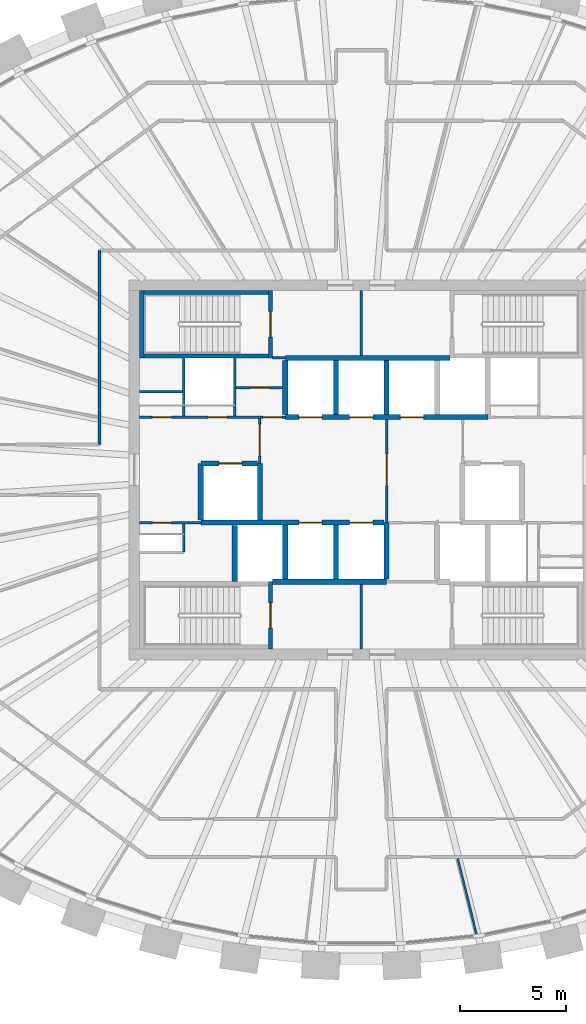
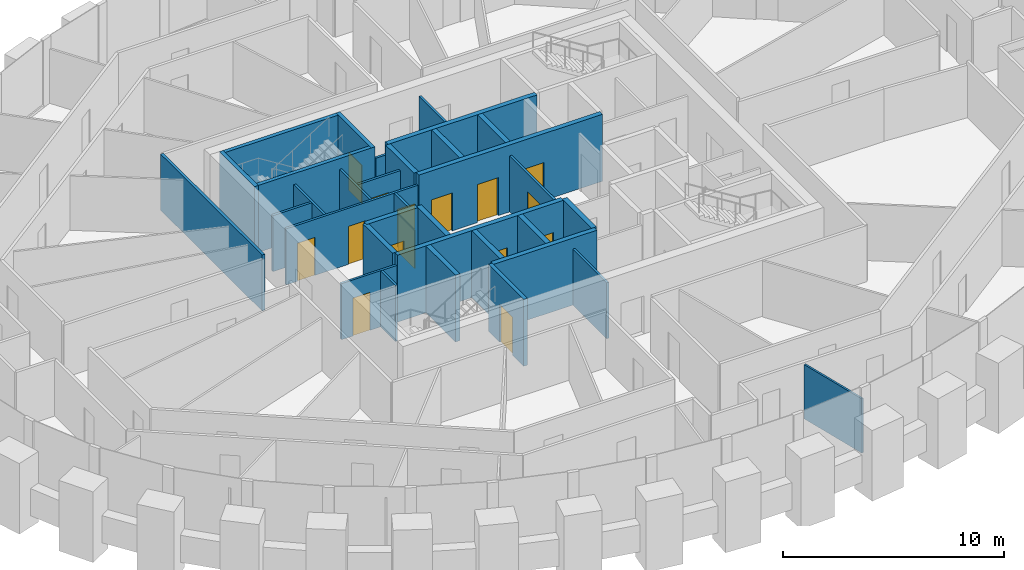
# One storey, part 7 of 12: 33 walls, 15 doors, 15 openings.
"""IFC4 building model written with IfcOpenShell, lengths in metres."""

from ifc_helpers import new_model, si_unit, direction, frame, frame_2d, origin, place, context, subcontext, project, spatial, rectangle, extrude, source, transform, mapped, material, layer, layer_set, type_object, element, fill, save


model = new_model("IFC4")

# Units and contexts
model_context = context("Model", 3, precision=1e-05, world=origin(), true_north=direction((0.0, 1.0)))
body_context = subcontext(model_context, "Body", "Model", "MODEL_VIEW")
ifc_project = project(units=[si_unit("LENGTHUNIT", "METRE"), si_unit("AREAUNIT", "SQUARE_METRE"), si_unit("VOLUMEUNIT", "CUBIC_METRE"), si_unit("PLANEANGLEUNIT", "RADIAN"), si_unit("MASSUNIT", "GRAM", prefix="KILO")], contexts=[model_context])

# Site, building, storey
site_placement = place(None, origin())
site = spatial("IfcSite", under=ifc_project, at=site_placement, CompositionType="ELEMENT")
building_placement = place(site_placement, origin())
building = spatial("IfcBuilding", under=site, at=building_placement, Name="Embergate Tower", CompositionType="ELEMENT")
storey_placement = place(building_placement, frame((0.0, 0.0, 309.10009765625)))
storey = spatial("IfcBuildingStorey", under=building, at=storey_placement, Name="L72", CompositionType="ELEMENT", Elevation=309.10009765625)

# Walls
ifc_material_1 = material(Name="Concrete C50", Category="concrete")
ifc_layer_1 = layer(ifc_material_1, 0.25)
ifc_layer_set_1 = layer_set([ifc_layer_1], Name="Concrete C50")
wall_type_1 = type_object("IfcWallType", Name="Hoistway wall reinforced concrete 250", PredefinedType="SHEAR", material=ifc_layer_set_1)
shared_shape_1 = source(origin(), body_context, "Body", "SweptSolid", [
    extrude(rectangle(XDim=2.675048828125, YDim=0.25, at=frame_2d((1.33740234375, 0.0))), origin(), (0.0, 0.0, 1.0), 3.699951171875),
])
for number, where, z_axis, x_axis, name in (
    (1, (1.199951171875, -5.175048828125, 0.0), (0.0, 0.0, 1.0), (0.0, 1.0, 0.0), "HW-1 wall"),
    (2, (-4.800048828125, 0.300048828125, 0.0), (0.0, 0.0, 1.0), (0.0, -1.0, 0.0), "HW-1 wall"),
):
    element("IfcWall", number, at=place(storey_placement, frame(where, z_axis=z_axis, x_axis=x_axis)), inside=storey, type_object=wall_type_1, Name=name, PredefinedType="SHEAR", context=body_context, shape_type="MappedRepresentation", body=[
        mapped(shared_shape_1, transform((0.0, 0.0, 0.0))),
    ])

# Wall, opening, door
wall_1_placement = place(storey_placement, frame((-4.925048828125, 0.300048828125, 0.0), z_axis=(0.0, 0.0, 1.0), x_axis=(-1.0, 0.0, 0.0)))
wall_1 = element("IfcWall", 3, at=wall_1_placement, inside=storey, type_object=wall_type_1, Name="HW-1 wall", PredefinedType="SHEAR", context=body_context, shape_type="MappedRepresentation", body=[
    mapped(shared_shape_1, transform((0.0, 0.0, 0.0))),
])
shared_shape_2 = source(origin(), body_context, "Body", "SweptSolid", [
    extrude(rectangle(XDim=1.10009765625, YDim=2.10009765625, at=frame_2d((0.550048828125, 1.050048828125))), frame((0.0, 0.135009765625, 0.0), z_axis=(0.0, -1.0, 0.0), x_axis=(1.0, 0.0, 0.0)), (0.0, 0.0, 1.0), 0.27001953125),
])
opening_1_placement = place(wall_1_placement, frame((0.72509765625, 0.0, 0.0)))
opening_1 = element("IfcOpeningElement", 4, at=opening_1_placement, cuts=wall_1, Name="Opening LD", PredefinedType="OPENING", context=body_context, shape_type="MappedRepresentation", body=[
    mapped(shared_shape_2, transform((0.0, 0.0, 0.0))),
])
ifc_material_2 = material(Name="Landing door sliding 1100")
door_type_1 = type_object("IfcDoorType", Name="Landing door sliding 1100", OperationType="SLIDING_TO_LEFT", PredefinedType="DOOR", material=ifc_material_2)
shared_shape_3 = source(origin(), body_context, "Body", "SweptSolid", [
    extrude(rectangle(XDim=1.10009765625, YDim=2.10009765625, at=frame_2d((0.550048828125, 1.050048828125))), frame((0.0, 0.02490234375, 0.0), z_axis=(0.0, -1.0, 0.0), x_axis=(1.0, 0.0, 0.0)), (0.0, 0.0, 1.0), 0.050048828125),
])
door_1_placement = place(opening_1_placement, origin())
door_1 = element("IfcDoor", 5, at=door_1_placement, inside=storey, type_object=door_type_1, Name="LD door", OperationType="SLIDING_TO_LEFT", OverallHeight=2.10009765625, OverallWidth=1.10009765625, PredefinedType="DOOR", context=body_context, shape_type="MappedRepresentation", body=[
    mapped(shared_shape_3, transform((0.0, 0.0, 0.0))),
])
fill(opening_1, door_1)

# Walls
wall_2_placement = place(storey_placement, frame((-7.60009765625, 0.300048828125, 0.0), z_axis=(0.0, 0.0, 1.0), x_axis=(0.0, -1.0, 0.0)))
element("IfcWall", 6, at=wall_2_placement, inside=storey, type_object=wall_type_1, Name="HW-1 wall", PredefinedType="SHEAR", context=body_context, shape_type="MappedRepresentation", body=[
    mapped(shared_shape_1, transform((0.0, 0.0, 0.0))),
])
ifc_layer_2 = layer(ifc_material_1, 0.199951171875)
ifc_layer_set_2 = layer_set([ifc_layer_2], Name="Concrete C50")
wall_type_2 = type_object("IfcWallType", Name="Stair enclosure wall reinforced concrete 250", PredefinedType="SHEAR", material=ifc_layer_set_2)
shared_shape_4 = source(origin(), body_context, "Body", "SweptSolid", [
    extrude(rectangle(XDim=6.300048828125, YDim=0.199951171875, at=frame_2d((3.14990234375, 0.0))), origin(), (0.0, 0.0, 1.0), 3.699951171875),
])
wall_3_placement = place(storey_placement, frame((-4.199951171875, 5.39990234375, 0.0), z_axis=(0.0, 0.0, 1.0), x_axis=(-1.0, 0.0, 0.0)))
element("IfcWall", 7, at=wall_3_placement, inside=storey, type_object=wall_type_2, Name="SE-1 wall", PredefinedType="SHEAR", context=body_context, shape_type="MappedRepresentation", body=[
    mapped(shared_shape_4, transform((0.0, 0.0, 0.0))),
])
shared_shape_5 = source(origin(), body_context, "Body", "SweptSolid", [
    extrude(rectangle(XDim=2.550048828125, YDim=0.25, at=frame_2d((1.27490234375, 0.0))), origin(), (0.0, 0.0, 1.0), 3.699951171875),
])
for number, where, z_axis, x_axis, name in (
    (8, (-1.199951171875, 2.625, 0.0), (0.0, 0.0, 1.0), (0.0, 1.0, 0.0), "HW-1 wall"),
    (9, (-3.60009765625, 5.175048828125, 0.0), (0.0, 0.0, 1.0), (0.0, -1.0, 0.0), "HW-1 wall"),
    (10, (1.199951171875, 2.625, 0.0), (0.0, 0.0, 1.0), (0.0, 1.0, 0.0), "HW-1 wall"),
    (11, (-3.60009765625, -5.175048828125, 0.0), (0.0, 0.0, 1.0), (0.0, 1.0, 0.0), "HW-1 wall"),
    (12, (-1.199951171875, -5.175048828125, 0.0), (0.0, 0.0, 1.0), (0.0, 1.0, 0.0), "HW-1 wall"),
):
    element("IfcWall", number, at=place(storey_placement, frame(where, z_axis=z_axis, x_axis=x_axis)), inside=storey, type_object=wall_type_1, Name=name, PredefinedType="SHEAR", context=body_context, shape_type="MappedRepresentation", body=[
        mapped(shared_shape_5, transform((0.0, 0.0, 0.0))),
    ])

# Wall, opening, door
shared_shape_6 = source(origin(), body_context, "Body", "SweptSolid", [
    extrude(rectangle(XDim=3.199951171875, YDim=0.199951171875, at=frame_2d((1.60009765625, 0.0))), origin(), (0.0, 0.0, 1.0), 3.699951171875),
])
wall_4_placement = place(storey_placement, frame((-4.300048828125, 5.300048828125, 0.0), z_axis=(0.0, 0.0, 1.0), x_axis=(0.0, 1.0, 0.0)))
wall_4 = element("IfcWall", 13, at=wall_4_placement, inside=storey, type_object=wall_type_2, Name="SE-1 wall", PredefinedType="SHEAR", context=body_context, shape_type="MappedRepresentation", body=[
    mapped(shared_shape_6, transform((0.0, 0.0, 0.0))),
])
shared_shape_7 = source(origin(), body_context, "Body", "SweptSolid", [
    extrude(rectangle(XDim=1.199951171875, YDim=2.10009765625, at=frame_2d((0.60009765625, 1.050048828125))), frame((0.0, 0.10986328125, 0.0), z_axis=(0.0, -1.0, 0.0), x_axis=(1.0, 0.0, 0.0)), (0.0, 0.0, 1.0), 0.219970703125),
])
opening_2_placement = place(wall_4_placement, frame((1.0, 0.0, 0.0)))
opening_2 = element("IfcOpeningElement", 14, at=opening_2_placement, cuts=wall_4, Name="Opening IF-2", PredefinedType="OPENING", context=body_context, shape_type="MappedRepresentation", body=[
    mapped(shared_shape_7, transform((0.0, 0.0, 0.0))),
])
ifc_material_3 = material(Name="Stair enclosure door 1200")
door_type_2 = type_object("IfcDoorType", Name="Stair enclosure door 1200", OperationType="SINGLE_SWING_LEFT", PredefinedType="DOOR", material=ifc_material_3)
shared_shape_8 = source(origin(), body_context, "Body", "SweptSolid", [
    extrude(rectangle(XDim=1.199951171875, YDim=2.10009765625, at=frame_2d((0.60009765625, 1.050048828125))), frame((0.0, 0.02490234375, 0.0), z_axis=(0.0, -1.0, 0.0), x_axis=(1.0, 0.0, 0.0)), (0.0, 0.0, 1.0), 0.050048828125),
])
door_2_placement = place(opening_2_placement, origin())
door_2 = element("IfcDoor", 15, at=door_2_placement, inside=storey, type_object=door_type_2, Name="IF-2 door", OperationType="SINGLE_SWING_RIGHT", OverallHeight=2.10009765625, OverallWidth=1.199951171875, PredefinedType="DOOR", context=body_context, shape_type="MappedRepresentation", body=[
    mapped(shared_shape_8, transform((0.0, 0.0, 0.0))),
])
fill(opening_2, door_2)

wall_5_placement = place(storey_placement, frame((-4.300048828125, -8.5, 0.0), z_axis=(0.0, 0.0, 1.0), x_axis=(0.0, 1.0, 0.0)))
wall_5 = element("IfcWall", 16, at=wall_5_placement, inside=storey, type_object=wall_type_2, Name="SE-1 wall", PredefinedType="SHEAR", context=body_context, shape_type="MappedRepresentation", body=[
    mapped(shared_shape_6, transform((0.0, 0.0, 0.0))),
])
opening_3_placement = place(wall_5_placement, frame((1.0, 0.0, 0.0)))
opening_3 = element("IfcOpeningElement", 17, at=opening_3_placement, cuts=wall_5, Name="Opening IF-2", PredefinedType="OPENING", context=body_context, shape_type="MappedRepresentation", body=[
    mapped(shared_shape_7, transform((0.0, 0.0, 0.0))),
])
door_3_placement = place(opening_3_placement, origin())
door_3 = element("IfcDoor", 18, at=door_3_placement, inside=storey, type_object=door_type_2, Name="IF-2 door", OperationType="SINGLE_SWING_LEFT", OverallHeight=2.10009765625, OverallWidth=1.199951171875, PredefinedType="DOOR", context=body_context, shape_type="MappedRepresentation", body=[
    mapped(shared_shape_8, transform((0.0, 0.0, 0.0))),
])
fill(opening_3, door_3)

# Walls
wall_6_placement = place(storey_placement, frame((-10.39990234375, 8.5, 0.0), z_axis=(0.0, 0.0, 1.0), x_axis=(0.0, -1.0, 0.0)))
element("IfcWall", 19, at=wall_6_placement, inside=storey, type_object=wall_type_2, Name="SE-1 wall", PredefinedType="SHEAR", context=body_context, shape_type="MappedRepresentation", body=[
    mapped(shared_shape_6, transform((0.0, 0.0, 0.0))),
])
ifc_material_4 = material(Name="Core partition blockwork 120")
ifc_layer_3 = layer(ifc_material_4, 0.1201171875)
ifc_layer_set_3 = layer_set([ifc_layer_3], Name="Core partition blockwork 120")
wall_type_3 = type_object("IfcWallType", Name="Core partition blockwork 120", PredefinedType="PARTITIONING", material=ifc_layer_set_3)
shared_shape_9 = source(origin(), body_context, "Body", "SweptSolid", [
    extrude(rectangle(XDim=2.739990234375, YDim=0.1201171875, at=frame_2d((1.3701171875, 0.0))), origin(), (0.0, 0.0, 1.0), 3.099853515625),
])
wall_7_placement = place(storey_placement, frame((-6.0, 2.56005859375, 0.0), z_axis=(0.0, 0.0, 1.0), x_axis=(0.0, 1.0, 0.0)))
element("IfcWall", 20, at=wall_7_placement, inside=storey, type_object=wall_type_3, Name="IP-3 wall", PredefinedType="PARTITIONING", context=body_context, shape_type="MappedRepresentation", body=[
    mapped(shared_shape_9, transform((0.0, 0.0, 0.0))),
])
shared_shape_10 = source(origin(), body_context, "Body", "SweptSolid", [
    extrude(rectangle(XDim=2.671142578125, YDim=0.25, at=frame_2d((1.33544921875, 0.0))), origin(), (0.0, 0.0, 1.0), 3.699951171875),
])
wall_8_placement = place(storey_placement, frame((-6.0, -2.626953125, 0.0), z_axis=(0.0, 0.0, 1.0), x_axis=(0.0, -1.0, 0.0)))
element("IfcWall", 21, at=wall_8_placement, inside=storey, type_object=wall_type_1, Name="HW-1 wall", PredefinedType="SHEAR", context=body_context, shape_type="MappedRepresentation", body=[
    mapped(shared_shape_10, transform((0.0, 0.0, 0.0))),
])
ifc_material_5 = material(Name="Corridor wall dry-lined 150")
ifc_layer_4 = layer(ifc_material_5, 0.14990234375)
ifc_layer_set_4 = layer_set([ifc_layer_4], Name="Corridor wall dry-lined 150")
wall_type_4 = type_object("IfcWallType", Name="Corridor wall dry-lined 150", PredefinedType="PARTITIONING", material=ifc_layer_set_4)
shared_shape_11 = source(origin(), body_context, "Body", "SweptSolid", [
    extrude(rectangle(XDim=9.199951171875, YDim=0.14990234375, at=frame_2d((4.60009765625, 0.0))), origin(), (0.0, 0.0, 1.0), 3.099853515625),
])
wall_9_placement = place(storey_placement, frame((-12.39990234375, 10.39990234375, 0.0), z_axis=(0.0, 0.0, 1.0), x_axis=(0.0, -1.0, 0.0)))
element("IfcWall", 22, at=wall_9_placement, inside=storey, type_object=wall_type_4, Name="IP-2 wall", PredefinedType="PARTITIONING", context=body_context, shape_type="MappedRepresentation", body=[
    mapped(shared_shape_11, transform((0.0, 0.0, 0.0))),
])
shared_shape_12 = source(origin(), body_context, "Body", "SweptSolid", [
    extrude(rectangle(XDim=7.800048828125, YDim=0.25, at=frame_2d((3.89990234375, 0.0))), origin(), (0.0, 0.0, 1.0), 3.699951171875),
])
wall_10_placement = place(storey_placement, frame((4.199951171875, 5.300048828125, 0.0), z_axis=(0.0, 0.0, 1.0), x_axis=(-1.0, 0.0, 0.0)))
element("IfcWall", 23, at=wall_10_placement, inside=storey, type_object=wall_type_1, Name="HW-1 wall", PredefinedType="SHEAR", context=body_context, shape_type="MappedRepresentation", body=[
    mapped(shared_shape_12, transform((0.0, 0.0, 0.0))),
])
shared_shape_13 = source(origin(), body_context, "Body", "SweptSolid", [
    extrude(rectangle(XDim=2.738037109375, YDim=0.1201171875, at=frame_2d((1.369140625, 0.0))), origin(), (0.0, 0.0, 1.0), 3.099853515625),
])
wall_11_placement = place(storey_placement, frame((-8.39990234375, 5.298095703125, 0.0), z_axis=(0.0, 0.0, 1.0), x_axis=(0.0, -1.0, 0.0)))
element("IfcWall", 24, at=wall_11_placement, inside=storey, type_object=wall_type_3, Name="IP-3 wall", PredefinedType="PARTITIONING", context=body_context, shape_type="MappedRepresentation", body=[
    mapped(shared_shape_13, transform((0.0, 0.0, 0.0))),
])
shared_shape_14 = source(origin(), body_context, "Body", "SweptSolid", [
    extrude(rectangle(XDim=5.39990234375, YDim=0.25, at=frame_2d((2.699951171875, 0.0))), origin(), (0.0, 0.0, 1.0), 3.699951171875),
])
wall_12_placement = place(storey_placement, frame((-4.199951171875, -5.300048828125, 0.0), z_axis=(0.0, 0.0, 1.0), x_axis=(1.0, 0.0, 0.0)))
element("IfcWall", 25, at=wall_12_placement, inside=storey, type_object=wall_type_1, Name="HW-1 wall", PredefinedType="SHEAR", context=body_context, shape_type="MappedRepresentation", body=[
    mapped(shared_shape_14, transform((0.0, 0.0, 0.0))),
])

# Wall, opening, door
shared_shape_15 = source(origin(), body_context, "Body", "SweptSolid", [
    extrude(rectangle(XDim=4.875, YDim=0.1201171875, at=frame_2d((2.4375, 0.0))), origin(), (0.0, 0.0, 1.0), 3.099853515625),
])
wall_13_placement = place(storey_placement, frame((1.199951171875, -2.5, 0.0), z_axis=(0.0, 0.0, 1.0), x_axis=(0.0, 1.0, 0.0)))
wall_13 = element("IfcWall", 26, at=wall_13_placement, inside=storey, type_object=wall_type_3, Name="IP-3 wall", PredefinedType="PARTITIONING", context=body_context, shape_type="MappedRepresentation", body=[
    mapped(shared_shape_15, transform((0.0, 0.0, 0.0))),
])
shared_shape_16 = source(origin(), body_context, "Body", "SweptSolid", [
    extrude(rectangle(XDim=1.5, YDim=2.10009765625, at=frame_2d((0.75, 1.050048828125))), frame((0.0, 0.070068359375, 0.0), z_axis=(0.0, -1.0, 0.0), x_axis=(1.0, 0.0, 0.0)), (0.0, 0.0, 1.0), 0.14013671875),
])
opening_4_placement = place(wall_13_placement, frame((1.75, 0.0, 0.0)))
opening_4 = element("IfcOpeningElement", 27, at=opening_4_placement, cuts=wall_13, Name="Opening IF-3", PredefinedType="OPENING", context=body_context, shape_type="MappedRepresentation", body=[
    mapped(shared_shape_16, transform((0.0, 0.0, 0.0))),
])
ifc_material_6 = material(Name="Lobby fire door pair 1500")
door_type_3 = type_object("IfcDoorType", Name="Lobby fire door pair 1500", OperationType="DOUBLE_DOOR_SINGLE_SWING", PredefinedType="DOOR", material=ifc_material_6)
shared_shape_17 = source(origin(), body_context, "Body", "SweptSolid", [
    extrude(rectangle(XDim=1.5, YDim=2.10009765625, at=frame_2d((0.75, 1.050048828125))), frame((0.0, 0.02490234375, 0.0), z_axis=(0.0, -1.0, 0.0), x_axis=(1.0, 0.0, 0.0)), (0.0, 0.0, 1.0), 0.050048828125),
])
door_4_placement = place(opening_4_placement, origin())
door_4 = element("IfcDoor", 28, at=door_4_placement, inside=storey, type_object=door_type_3, Name="IF-3 door", OperationType="DOUBLE_DOOR_SINGLE_SWING", OverallHeight=2.10009765625, OverallWidth=1.5, PredefinedType="DOOR", context=body_context, shape_type="MappedRepresentation", body=[
    mapped(shared_shape_17, transform((0.0, 0.0, 0.0))),
])
fill(opening_4, door_4)

shared_shape_18 = source(origin(), body_context, "Body", "SweptSolid", [
    extrude(rectangle(XDim=2.139892578125, YDim=0.1201171875, at=frame_2d((1.06982421875, 0.0))), origin(), (0.0, 0.0, 1.0), 3.099853515625),
])
wall_14_placement = place(storey_placement, frame((-4.800048828125, 2.43994140625, 0.0), z_axis=(0.0, 0.0, 1.0), x_axis=(0.0, -1.0, 0.0)))
wall_14 = element("IfcWall", 29, at=wall_14_placement, inside=storey, type_object=wall_type_3, Name="IP-3 wall", PredefinedType="PARTITIONING", context=body_context, shape_type="MappedRepresentation", body=[
    mapped(shared_shape_18, transform((0.0, 0.0, 0.0))),
])
opening_5_placement = place(wall_14_placement, frame((0.2900390625, 0.0, 0.0)))
opening_5 = element("IfcOpeningElement", 30, at=opening_5_placement, cuts=wall_14, Name="Opening IF-3", PredefinedType="OPENING", context=body_context, shape_type="MappedRepresentation", body=[
    mapped(shared_shape_16, transform((0.0, 0.0, 0.0))),
])
door_5_placement = place(opening_5_placement, origin())
door_5 = element("IfcDoor", 31, at=door_5_placement, inside=storey, type_object=door_type_3, Name="IF-3 door", OperationType="DOUBLE_DOOR_SINGLE_SWING", OverallHeight=2.10009765625, OverallWidth=1.5, PredefinedType="DOOR", context=body_context, shape_type="MappedRepresentation", body=[
    mapped(shared_shape_17, transform((0.0, 0.0, 0.0))),
])
fill(opening_5, door_5)

# Walls
shared_shape_19 = source(origin(), body_context, "Body", "SweptSolid", [
    extrude(rectangle(XDim=3.074951171875, YDim=0.1201171875, at=frame_2d((1.53759765625, 0.0))), origin(), (0.0, 0.0, 1.0), 3.099853515625),
])
for number, where, z_axis, x_axis, name in (
    (32, (0.0, 5.425048828125, 0.0), (0.0, 0.0, 1.0), (0.0, 1.0, 0.0), "IP-3 wall"),
    (33, (0.0, -8.5, 0.0), (0.0, 0.0, 1.0), (0.0, 1.0, 0.0), "IP-3 wall"),
):
    element("IfcWall", number, at=place(storey_placement, frame(where, z_axis=z_axis, x_axis=x_axis)), inside=storey, type_object=wall_type_3, Name=name, PredefinedType="PARTITIONING", context=body_context, shape_type="MappedRepresentation", body=[
        mapped(shared_shape_19, transform((0.0, 0.0, 0.0))),
    ])
shared_shape_20 = source(origin(), body_context, "Body", "SweptSolid", [
    extrude(rectangle(XDim=0.599853515625, YDim=0.1201171875, at=frame_2d((0.2998046875, 0.0))), origin(), (0.0, 0.0, 1.0), 3.099853515625),
])
wall_15_placement = place(storey_placement, frame((-4.199951171875, 5.300048828125, 0.0), z_axis=(0.0, 0.0, 1.0), x_axis=(1.0, 0.0, 0.0)))
element("IfcWall", 34, at=wall_15_placement, inside=storey, type_object=wall_type_3, Name="IP-3 wall", PredefinedType="PARTITIONING", context=body_context, shape_type="MappedRepresentation", body=[
    mapped(shared_shape_20, transform((0.0, 0.0, 0.0))),
])
shared_shape_21 = source(origin(), body_context, "Body", "SweptSolid", [
    extrude(rectangle(XDim=6.298095703125, YDim=0.199951171875, at=frame_2d((3.14892578125, 0.0))), origin(), (0.0, 0.0, 1.0), 3.699951171875),
])
wall_16_placement = place(storey_placement, frame((-4.201904296875, 8.39990234375, 0.0), z_axis=(0.0, 0.0, 1.0), x_axis=(-1.0, 0.0, 0.0)))
element("IfcWall", 35, at=wall_16_placement, inside=storey, type_object=wall_type_2, Name="SE-1 wall", PredefinedType="SHEAR", context=body_context, shape_type="MappedRepresentation", body=[
    mapped(shared_shape_21, transform((0.0, 0.0, 0.0))),
])
shared_shape_22 = source(origin(), body_context, "Body", "SweptSolid", [
    extrude(rectangle(XDim=2.0380859375, YDim=0.1201171875, at=frame_2d((1.01904296875, 0.0))), origin(), (0.0, 0.0, 1.0), 3.099853515625),
])
wall_17_placement = place(storey_placement, frame((-8.4619140625, 3.7041015625, 0.0), z_axis=(0.0, 0.0, 1.0), x_axis=(-1.0, 0.0, 0.0)))
element("IfcWall", 36, at=wall_17_placement, inside=storey, type_object=wall_type_3, Name="IP-3 wall", PredefinedType="PARTITIONING", context=body_context, shape_type="MappedRepresentation", body=[
    mapped(shared_shape_22, transform((0.0, 0.0, 0.0))),
])

# Wall, openings, doors
shared_shape_23 = source(origin(), body_context, "Body", "SweptSolid", [
    extrude(rectangle(XDim=6.89990234375, YDim=0.1201171875, at=frame_2d((3.449951171875, 0.0))), origin(), (0.0, 0.0, 1.0), 3.099853515625),
])
wall_18_placement = place(storey_placement, frame((-10.5, 2.5, 0.0), z_axis=(0.0, 0.0, 1.0), x_axis=(1.0, 0.0, 0.0)))
wall_18 = element("IfcWall", 37, at=wall_18_placement, inside=storey, type_object=wall_type_3, Name="IP-3 wall", PredefinedType="PARTITIONING", context=body_context, shape_type="MappedRepresentation", body=[
    mapped(shared_shape_23, transform((0.0, 0.0, 0.0))),
])
shared_shape_24 = source(origin(), body_context, "Body", "SweptSolid", [
    extrude(rectangle(XDim=0.89990234375, YDim=2.10009765625, at=frame_2d((0.449951171875, 1.050048828125))), frame((0.0, 0.070068359375, 0.0), z_axis=(0.0, -1.0, 0.0), x_axis=(1.0, 0.0, 0.0)), (0.0, 0.0, 1.0), 0.14013671875),
])
opening_6_placement = place(wall_18_placement, frame((3.25, 0.0, 0.0)))
opening_6 = element("IfcOpeningElement", 38, at=opening_6_placement, cuts=wall_18, Name="Opening ID-1", PredefinedType="OPENING", context=body_context, shape_type="MappedRepresentation", body=[
    mapped(shared_shape_24, transform((0.0, 0.0, 0.0))),
])
opening_7_placement = place(wall_18_placement, frame((5.85009765625, 0.0, 0.0)))
opening_7 = element("IfcOpeningElement", 39, at=opening_7_placement, cuts=wall_18, Name="Opening ID-1", PredefinedType="OPENING", context=body_context, shape_type="MappedRepresentation", body=[
    mapped(shared_shape_24, transform((0.0, 0.0, 0.0))),
])
opening_8_placement = place(wall_18_placement, frame((0.60009765625, 0.0, 0.0)))
opening_8 = element("IfcOpeningElement", 40, at=opening_8_placement, cuts=wall_18, Name="Opening ID-1", PredefinedType="OPENING", context=body_context, shape_type="MappedRepresentation", body=[
    mapped(shared_shape_24, transform((0.0, 0.0, 0.0))),
])
ifc_material_7 = material(Name="Interior door 900")
door_type_4 = type_object("IfcDoorType", Name="Interior door 900", OperationType="SINGLE_SWING_LEFT", PredefinedType="DOOR", material=ifc_material_7)
shared_shape_25 = source(origin(), body_context, "Body", "SweptSolid", [
    extrude(rectangle(XDim=0.89990234375, YDim=2.10009765625, at=frame_2d((0.449951171875, 1.050048828125))), frame((0.0, 0.02490234375, 0.0), z_axis=(0.0, -1.0, 0.0), x_axis=(1.0, 0.0, 0.0)), (0.0, 0.0, 1.0), 0.050048828125),
])
door_6_placement = place(opening_6_placement, origin())
door_6 = element("IfcDoor", 41, at=door_6_placement, inside=storey, type_object=door_type_4, Name="ID-1 door", OperationType="SINGLE_SWING_RIGHT", OverallHeight=2.10009765625, OverallWidth=0.89990234375, PredefinedType="DOOR", context=body_context, shape_type="MappedRepresentation", body=[
    mapped(shared_shape_25, transform((0.0, 0.0, 0.0))),
])
fill(opening_6, door_6)
door_7_placement = place(opening_7_placement, origin())
door_7 = element("IfcDoor", 42, at=door_7_placement, inside=storey, type_object=door_type_4, Name="ID-1 door", OperationType="SINGLE_SWING_RIGHT", OverallHeight=2.10009765625, OverallWidth=0.89990234375, PredefinedType="DOOR", context=body_context, shape_type="MappedRepresentation", body=[
    mapped(shared_shape_25, transform((0.0, 0.0, 0.0))),
])
fill(opening_7, door_7)
door_8_placement = place(opening_8_placement, origin())
door_8 = element("IfcDoor", 43, at=door_8_placement, inside=storey, type_object=door_type_4, Name="ID-1 door", OperationType="SINGLE_SWING_RIGHT", OverallHeight=2.10009765625, OverallWidth=0.89990234375, PredefinedType="DOOR", context=body_context, shape_type="MappedRepresentation", body=[
    mapped(shared_shape_25, transform((0.0, 0.0, 0.0))),
])
fill(opening_8, door_8)

shared_shape_26 = source(origin(), body_context, "Body", "SweptSolid", [
    extrude(rectangle(XDim=9.60009765625, YDim=0.25, at=frame_2d((4.800048828125, 0.0))), origin(), (0.0, 0.0, 1.0), 3.699951171875),
])
wall_19_placement = place(storey_placement, frame((-3.60009765625, 2.5, 0.0), z_axis=(0.0, 0.0, 1.0), x_axis=(1.0, 0.0, 0.0)))
wall_19 = element("IfcWall", 44, at=wall_19_placement, inside=storey, type_object=wall_type_1, Name="HW-1 wall", PredefinedType="SHEAR", context=body_context, shape_type="MappedRepresentation", body=[
    mapped(shared_shape_26, transform((0.0, 0.0, 0.0))),
])
opening_9_placement = place(wall_19_placement, frame((0.64990234375, 0.0, 0.0)))
opening_9 = element("IfcOpeningElement", 45, at=opening_9_placement, cuts=wall_19, Name="Opening LD", PredefinedType="OPENING", context=body_context, shape_type="MappedRepresentation", body=[
    mapped(shared_shape_2, transform((0.0, 0.0, 0.0))),
])
opening_10_placement = place(wall_19_placement, frame((3.050048828125, 0.0, 0.0)))
opening_10 = element("IfcOpeningElement", 46, at=opening_10_placement, cuts=wall_19, Name="Opening LD", PredefinedType="OPENING", context=body_context, shape_type="MappedRepresentation", body=[
    mapped(shared_shape_2, transform((0.0, 0.0, 0.0))),
])
opening_11_placement = place(wall_19_placement, frame((5.449951171875, 0.0, 0.0)))
opening_11 = element("IfcOpeningElement", 47, at=opening_11_placement, cuts=wall_19, Name="Opening LD", PredefinedType="OPENING", context=body_context, shape_type="MappedRepresentation", body=[
    mapped(shared_shape_2, transform((0.0, 0.0, 0.0))),
])
door_9_placement = place(opening_9_placement, origin())
door_9 = element("IfcDoor", 48, at=door_9_placement, inside=storey, type_object=door_type_1, Name="LD door", OperationType="SLIDING_TO_LEFT", OverallHeight=2.10009765625, OverallWidth=1.10009765625, PredefinedType="DOOR", context=body_context, shape_type="MappedRepresentation", body=[
    mapped(shared_shape_3, transform((0.0, 0.0, 0.0))),
])
fill(opening_9, door_9)
door_10_placement = place(opening_10_placement, origin())
door_10 = element("IfcDoor", 49, at=door_10_placement, inside=storey, type_object=door_type_1, Name="LD door", OperationType="SLIDING_TO_RIGHT", OverallHeight=2.10009765625, OverallWidth=1.10009765625, PredefinedType="DOOR", context=body_context, shape_type="MappedRepresentation", body=[
    mapped(shared_shape_3, transform((0.0, 0.0, 0.0))),
])
fill(opening_10, door_10)
door_11_placement = place(opening_11_placement, origin())
door_11 = element("IfcDoor", 50, at=door_11_placement, inside=storey, type_object=door_type_1, Name="LD door", OperationType="SLIDING_TO_RIGHT", OverallHeight=2.10009765625, OverallWidth=1.10009765625, PredefinedType="DOOR", context=body_context, shape_type="MappedRepresentation", body=[
    mapped(shared_shape_3, transform((0.0, 0.0, 0.0))),
])
fill(opening_11, door_11)

# Wall, opening, door
shared_shape_27 = source(origin(), body_context, "Body", "SweptSolid", [
    extrude(rectangle(XDim=2.89794921875, YDim=0.1201171875, at=frame_2d((1.448974609375, 0.0))), origin(), (0.0, 0.0, 1.0), 3.099853515625),
])
wall_20_placement = place(storey_placement, frame((-10.5, -2.5, 0.0), z_axis=(0.0, 0.0, 1.0), x_axis=(1.0, 0.0, 0.0)))
wall_20 = element("IfcWall", 51, at=wall_20_placement, inside=storey, type_object=wall_type_3, Name="IP-3 wall", PredefinedType="PARTITIONING", context=body_context, shape_type="MappedRepresentation", body=[
    mapped(shared_shape_27, transform((0.0, 0.0, 0.0))),
])
opening_12_placement = place(wall_20_placement, frame((0.60009765625, 0.0, 0.0)))
opening_12 = element("IfcOpeningElement", 52, at=opening_12_placement, cuts=wall_20, Name="Opening ID-1", PredefinedType="OPENING", context=body_context, shape_type="MappedRepresentation", body=[
    mapped(shared_shape_24, transform((0.0, 0.0, 0.0))),
])
door_12_placement = place(opening_12_placement, origin())
door_12 = element("IfcDoor", 53, at=door_12_placement, inside=storey, type_object=door_type_4, Name="ID-1 door", OperationType="SINGLE_SWING_LEFT", OverallHeight=2.10009765625, OverallWidth=0.89990234375, PredefinedType="DOOR", context=body_context, shape_type="MappedRepresentation", body=[
    mapped(shared_shape_25, transform((0.0, 0.0, 0.0))),
])
fill(opening_12, door_12)

shared_shape_28 = source(origin(), body_context, "Body", "SweptSolid", [
    extrude(rectangle(XDim=2.21484375, YDim=0.1201171875, at=frame_2d((1.107421875, 0.0))), origin(), (0.0, 0.0, 1.0), 3.099853515625),
])
wall_21_placement = place(storey_placement, frame((-3.72509765625, 3.89990234375, 0.0), z_axis=(0.0, 0.0, 1.0), x_axis=(-1.0, 0.0, 0.0)))
wall_21 = element("IfcWall", 54, at=wall_21_placement, inside=storey, type_object=wall_type_3, Name="IP-3 wall", PredefinedType="PARTITIONING", context=body_context, shape_type="MappedRepresentation", body=[
    mapped(shared_shape_28, transform((0.0, 0.0, 0.0))),
])
opening_13_placement = place(wall_21_placement, frame((0.625, 0.0, 0.0)))
opening_13 = element("IfcOpeningElement", 55, at=opening_13_placement, cuts=wall_21, Name="Opening ID-1", PredefinedType="OPENING", context=body_context, shape_type="MappedRepresentation", body=[
    mapped(shared_shape_24, transform((0.0, 0.0, 0.0))),
])
door_13_placement = place(opening_13_placement, origin())
door_13 = element("IfcDoor", 56, at=door_13_placement, inside=storey, type_object=door_type_4, Name="ID-1 door", OperationType="SINGLE_SWING_LEFT", OverallHeight=2.10009765625, OverallWidth=0.89990234375, PredefinedType="DOOR", context=body_context, shape_type="MappedRepresentation", body=[
    mapped(shared_shape_25, transform((0.0, 0.0, 0.0))),
])
fill(opening_13, door_13)

# Walls
shared_shape_29 = source(origin(), body_context, "Body", "SweptSolid", [
    extrude(rectangle(XDim=1.337890625, YDim=0.1201171875, at=frame_2d((0.6689453125, 0.0))), origin(), (0.0, 0.0, 1.0), 3.099853515625),
])
wall_22_placement = place(storey_placement, frame((-8.39990234375, -3.89990234375, 0.0), z_axis=(0.0, 0.0, 1.0), x_axis=(0.0, 1.0, 0.0)))
element("IfcWall", 57, at=wall_22_placement, inside=storey, type_object=wall_type_3, Name="IP-3 wall", PredefinedType="PARTITIONING", context=body_context, shape_type="MappedRepresentation", body=[
    mapped(shared_shape_29, transform((0.0, 0.0, 0.0))),
])
ifc_material_8 = material(Name="Partition dry-lined 100 wet")
ifc_layer_5 = layer(ifc_material_8, 0.10009765625)
ifc_layer_set_5 = layer_set([ifc_layer_5], Name="Partition dry-lined 100 wet")
wall_type_5 = type_object("IfcWallType", Name="Partition dry-lined 100 wet", PredefinedType="PLUMBINGWALL", material=ifc_layer_set_5)
shared_shape_30 = source(origin(), body_context, "Body", "SweptSolid", [
    extrude(rectangle(XDim=3.7626953125, YDim=0.10009765625, at=frame_2d((1.88134765625, 0.0))), origin(), (0.0, 0.0, 1.0), 3.0),
])
wall_23_placement = place(storey_placement, frame((4.573974609375, -18.427978515625, 0.0), z_axis=(0.0, 0.0, 1.0), x_axis=(0.240779579239, -0.970579823725, 0.0)))
element("IfcWall", 58, at=wall_23_placement, inside=storey, type_object=wall_type_5, Name="IP-1 wall", PredefinedType="PLUMBINGWALL", context=body_context, shape_type="MappedRepresentation", body=[
    mapped(shared_shape_30, transform((0.0, 0.0, 0.0))),
])

# Wall, openings, doors
shared_shape_31 = source(origin(), body_context, "Body", "SweptSolid", [
    extrude(rectangle(XDim=8.6728515625, YDim=0.25, at=frame_2d((4.33642578125, 0.0))), origin(), (0.0, 0.0, 1.0), 3.699951171875),
])
wall_24_placement = place(storey_placement, frame((1.074951171875, -2.5, 0.0), z_axis=(0.0, 0.0, 1.0), x_axis=(-1.0, 0.0, 0.0)))
wall_24 = element("IfcWall", 59, at=wall_24_placement, inside=storey, type_object=wall_type_1, Name="HW-1 wall", PredefinedType="SHEAR", context=body_context, shape_type="MappedRepresentation", body=[
    mapped(shared_shape_31, transform((0.0, 0.0, 0.0))),
])
opening_14_placement = place(wall_24_placement, frame((2.925048828125, 0.0, 0.0)))
opening_14 = element("IfcOpeningElement", 60, at=opening_14_placement, cuts=wall_24, Name="Opening LD", PredefinedType="OPENING", context=body_context, shape_type="MappedRepresentation", body=[
    mapped(shared_shape_2, transform((0.0, 0.0, 0.0))),
])
opening_15_placement = place(wall_24_placement, frame((0.52490234375, 0.0, 0.0)))
opening_15 = element("IfcOpeningElement", 61, at=opening_15_placement, cuts=wall_24, Name="Opening LD", PredefinedType="OPENING", context=body_context, shape_type="MappedRepresentation", body=[
    mapped(shared_shape_2, transform((0.0, 0.0, 0.0))),
])
door_14_placement = place(opening_14_placement, origin())
door_14 = element("IfcDoor", 62, at=door_14_placement, inside=storey, type_object=door_type_1, Name="LD door", OperationType="SLIDING_TO_RIGHT", OverallHeight=2.10009765625, OverallWidth=1.10009765625, PredefinedType="DOOR", context=body_context, shape_type="MappedRepresentation", body=[
    mapped(shared_shape_3, transform((0.0, 0.0, 0.0))),
])
fill(opening_14, door_14)
door_15_placement = place(opening_15_placement, origin())
door_15 = element("IfcDoor", 63, at=door_15_placement, inside=storey, type_object=door_type_1, Name="LD door", OperationType="SLIDING_TO_RIGHT", OverallHeight=2.10009765625, OverallWidth=1.10009765625, PredefinedType="DOOR", context=body_context, shape_type="MappedRepresentation", body=[
    mapped(shared_shape_3, transform((0.0, 0.0, 0.0))),
])
fill(opening_15, door_15)

save(model, "model.ifc")
